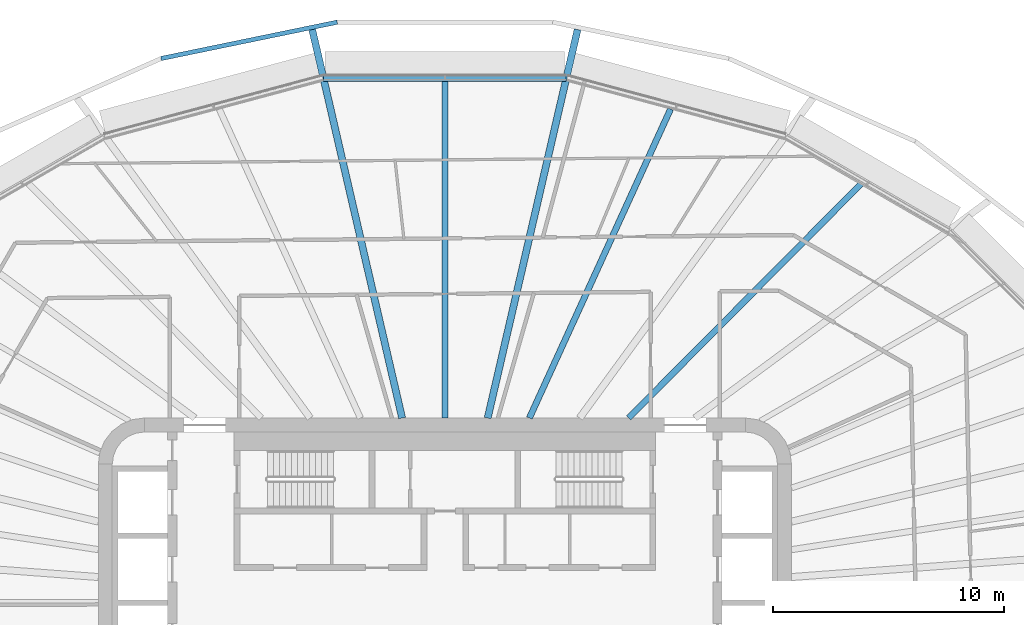
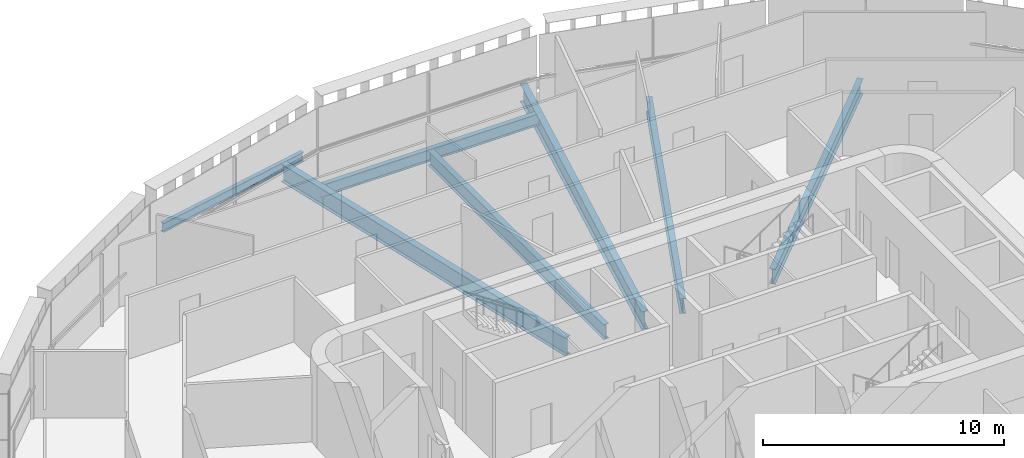
# One storey, part 7 of 23: 7 beams.
"""IFC4 building model written with IfcOpenShell, lengths in metres."""

from ifc_helpers import new_model, si_unit, direction, frame, origin, origin_2d, place, context, subcontext, project, spatial, i_section, extrude, material, material_profile, profile_set, type_object, element, save


model = new_model("IFC4")

# Units and contexts
model_context = context("Model", 3, precision=1e-05, world=origin(), true_north=direction((0.0, 1.0)))
body_context = subcontext(model_context, "Body", "Model", "MODEL_VIEW")
ifc_project = project(units=[si_unit("LENGTHUNIT", "METRE"), si_unit("AREAUNIT", "SQUARE_METRE"), si_unit("VOLUMEUNIT", "CUBIC_METRE"), si_unit("PLANEANGLEUNIT", "RADIAN"), si_unit("MASSUNIT", "GRAM", prefix="KILO")], contexts=[model_context])

# Site, building, storey
site_placement = place(None, origin())
site = spatial("IfcSite", under=ifc_project, at=site_placement, CompositionType="ELEMENT")
building_placement = place(site_placement, origin())
building = spatial("IfcBuilding", under=site, at=building_placement, Name="Sahrelin Media Tower", CompositionType="ELEMENT")
storey_placement = place(building_placement, frame((0.0, 0.0, 54.60009765625)))
storey = spatial("IfcBuildingStorey", under=building, at=storey_placement, Name="L08", CompositionType="ELEMENT", Elevation=54.60009765625)

# Beams
ifc_material = material(Name="Steel S355", Category="steel")
ifc_material_profile_1 = material_profile(ifc_material, i_section(OverallWidth=0.2275390625, OverallDepth=0.6025390625, WebThickness=0.010498046875, FlangeThickness=0.014892578125, FilletRadius=0.0126953125, at=origin_2d()), Name="UB 610x229x101")
ifc_profile_set_1 = profile_set([ifc_material_profile_1], Name="Steel S355")
beam_type_1 = type_object("IfcBeamType", Name="Edge beam EB7", PredefinedType="BEAM", material=ifc_profile_set_1)
beam_1_placement = place(storey_placement, frame((-5.25048828125, 22.683837890625, -0.451416015625), z_axis=(1.0, 0.0, 0.0), x_axis=(0.0, 1.0, 0.0)))
element("IfcBeam", 1, at=beam_1_placement, inside=storey, type_object=beam_type_1, Name="Edge beam L08-19", PredefinedType="BEAM", context=body_context, shape_type="SweptSolid", body=[
    extrude(i_section(OverallWidth=0.2275390625, OverallDepth=0.6025390625, WebThickness=0.010498046875, FlangeThickness=0.014892578125, FilletRadius=0.0126953125, at=origin_2d()), origin(), (0.0, 0.0, 1.0), 10.5009765625),
])
ifc_material_profile_2 = material_profile(ifc_material, i_section(OverallWidth=0.30322265625, OverallDepth=0.903076171875, WebThickness=0.01513671875, FlangeThickness=0.020263671875, FilletRadius=0.01904296875, at=origin_2d()), Name="UB 914x305x201")
ifc_profile_set_2 = profile_set([ifc_material_profile_2], Name="Steel S355")
beam_type_2 = type_object("IfcBeamType", Name="Radial primary beam PB11", PredefinedType="BEAM", material=ifc_profile_set_2)
for number, where, z_axis, x_axis, name in (
    (2, (1.8515625, 8.0, -0.6015625), (0.225489797677, 0.974245529188, 0.0), (-0.974245529188, 0.225489797677, 0.0), "Radial beam L08-06"),
    (3, (-1.8515625, 8.0, -0.6015625), (-0.225489797677, 0.974245529188, 0.0), (-0.974245529188, -0.225489797677, 0.0), "Radial beam L08-07"),
):
    element("IfcBeam", number, at=place(storey_placement, frame(where, z_axis=z_axis, x_axis=x_axis)), inside=storey, type_object=beam_type_2, Name=name, PredefinedType="BEAM", context=body_context, shape_type="SweptSolid", body=[
        extrude(i_section(OverallWidth=0.30322265625, OverallDepth=0.903076171875, WebThickness=0.01513671875, FlangeThickness=0.020263671875, FilletRadius=0.01904296875, at=origin_2d()), origin(), (0.0, 0.0, 1.0), 17.255126953125),
    ])
ifc_material_profile_3 = material_profile(ifc_material, i_section(OverallWidth=0.26513671875, OverallDepth=0.75390625, WebThickness=0.0126953125, FlangeThickness=0.017578125, FilletRadius=0.0166015625, at=origin_2d()), Name="UB 762x267x147")
ifc_profile_set_3 = profile_set([ifc_material_profile_3], Name="Steel S355")
beam_type_3 = type_object("IfcBeamType", Name="Radial secondary beam SB9", PredefinedType="BEAM", material=ifc_profile_set_3)
beam_2_placement = place(storey_placement, frame((7.947021484375, 8.0, -0.527099609375), z_axis=(0.704754041549, 0.709451718527, 0.0), x_axis=(-0.709451718527, 0.704754041549, 0.0)))
element("IfcBeam", 4, at=beam_2_placement, inside=storey, type_object=beam_type_3, Name="Secondary beam L08-04", PredefinedType="BEAM", context=body_context, shape_type="SweptSolid", body=[
    extrude(i_section(OverallWidth=0.26513671875, OverallDepth=0.75390625, WebThickness=0.0126953125, FlangeThickness=0.017578125, FilletRadius=0.0166015625, at=origin_2d()), origin(), (0.0, 0.0, 1.0), 14.2919921875),
])
beam_3_placement = place(storey_placement, frame((3.656494140625, 8.0, -0.527099609375), z_axis=(0.41567654801, 0.909512510873, 0.0), x_axis=(-0.909512510873, 0.41567654801, 0.0)))
element("IfcBeam", 5, at=beam_3_placement, inside=storey, type_object=beam_type_3, Name="Secondary beam L08-05", PredefinedType="BEAM", context=body_context, shape_type="SweptSolid", body=[
    extrude(i_section(OverallWidth=0.26513671875, OverallDepth=0.75390625, WebThickness=0.0126953125, FlangeThickness=0.017578125, FilletRadius=0.0166015625, at=origin_2d()), origin(), (0.0, 0.0, 1.0), 14.69970703125),
])
beam_4_placement = place(storey_placement, frame((0.0, 8.0, -0.527099609375), z_axis=(0.0, 1.0, 0.0), x_axis=(-1.0, 0.0, 0.0)))
element("IfcBeam", 6, at=beam_4_placement, inside=storey, type_object=beam_type_3, Name="Secondary beam L08-06", PredefinedType="BEAM", context=body_context, shape_type="SweptSolid", body=[
    extrude(i_section(OverallWidth=0.26513671875, OverallDepth=0.75390625, WebThickness=0.0126953125, FlangeThickness=0.017578125, FilletRadius=0.0166015625, at=origin_2d()), origin(), (0.0, 0.0, 1.0), 14.570068359375),
])
ifc_material_profile_4 = material_profile(ifc_material, i_section(OverallWidth=0.1904296875, OverallDepth=0.45703125, WebThickness=0.009033203125, FlangeThickness=0.014404296875, FilletRadius=0.01025390625, at=origin_2d()), Name="UB 457x191x74")
ifc_profile_set_4 = profile_set([ifc_material_profile_4], Name="Steel S355")
beam_type_4 = type_object("IfcBeamType", Name="Tie chord TC5", PredefinedType="BEAM", material=ifc_profile_set_4)
beam_5_placement = place(storey_placement, frame((-4.6630859375, 25.130615234375, -0.378662109375), z_axis=(-0.979388114358, -0.201987428952, 0.0), x_axis=(0.201987428952, -0.979388114358, 0.0)))
element("IfcBeam", 7, at=beam_5_placement, inside=storey, type_object=beam_type_4, Name="Tie chord L08-07", PredefinedType="BEAM", context=body_context, shape_type="SweptSolid", body=[
    extrude(i_section(OverallWidth=0.1904296875, OverallDepth=0.45703125, WebThickness=0.009033203125, FlangeThickness=0.014404296875, FilletRadius=0.01025390625, at=origin_2d()), origin(), (0.0, 0.0, 1.0), 7.783935546875),
])

save(model, "model.ifc")
